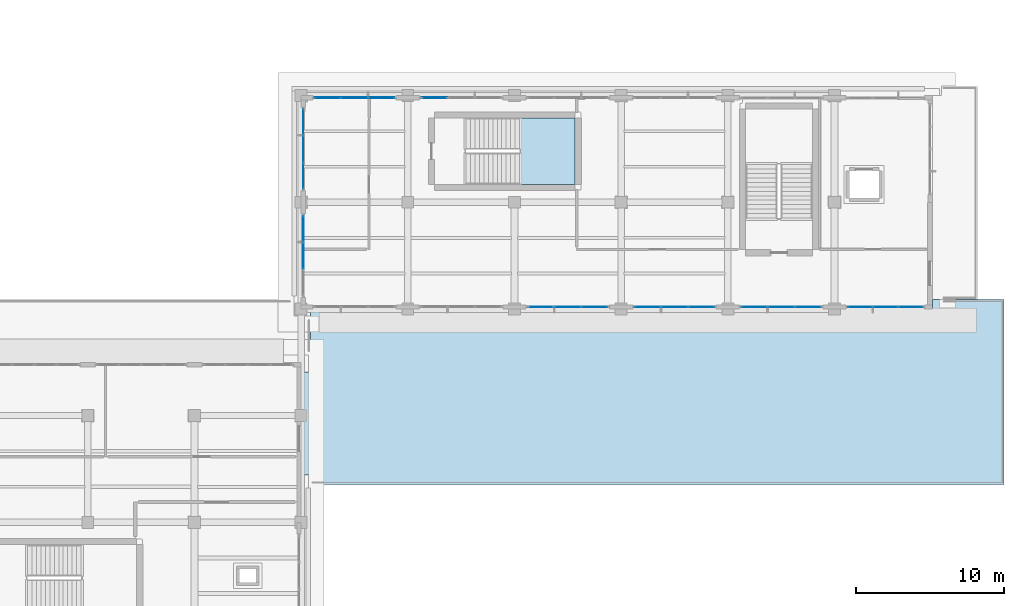
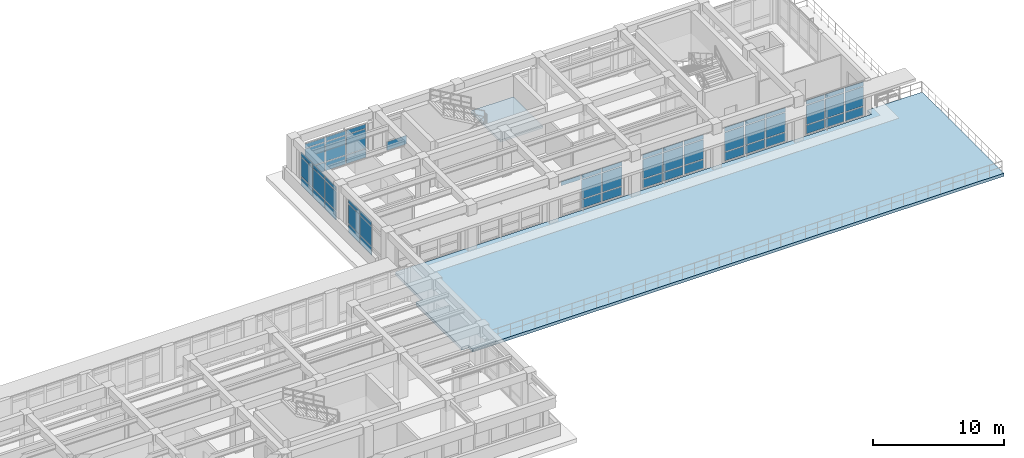
# One storey, part 39 of 67: 59 plates, 2 slabs, 9 elements without a shape of their own.
"""IFC4 building model written with IfcOpenShell, lengths in metres."""

from ifc_helpers import new_model, si_unit, direction, frame, origin, origin_2d, place, context, subcontext, project, spatial, polyline, rectangle, outline, extrude, material, layer, layer_set, type_object, element, aggregate, save


model = new_model("IFC4")

# Units and contexts
model_context = context("Model", 3, precision=1e-05, world=origin(), true_north=direction((0.0, 1.0)))
body_context = subcontext(model_context, "Body", "Model", "MODEL_VIEW")
ifc_project = project(units=[si_unit("LENGTHUNIT", "METRE"), si_unit("AREAUNIT", "SQUARE_METRE"), si_unit("VOLUMEUNIT", "CUBIC_METRE"), si_unit("PLANEANGLEUNIT", "RADIAN"), si_unit("MASSUNIT", "GRAM", prefix="KILO")], contexts=[model_context])

# Site, building, storey
site_placement = place(None, origin())
site = spatial("IfcSite", under=ifc_project, at=site_placement, CompositionType="ELEMENT")
building_placement = place(site_placement, origin())
building = spatial("IfcBuilding", under=site, at=building_placement, Name="Solenvale Faculty of Natural Sciences", CompositionType="ELEMENT")
storey_placement = place(building_placement, frame((0.0, 0.0, 13.5)))
storey = spatial("IfcBuildingStorey", under=building, at=storey_placement, Name="L03", CompositionType="ELEMENT", Elevation=13.5)

# Curtain wall, plates
ifc_material_1 = material(Name="Anodised bronze aluminium", Category="aluminium")
ifc_layer_1 = layer(ifc_material_1, 0.199951171875)
ifc_layer_set_1 = layer_set([ifc_layer_1], Name="Anodised bronze aluminium")
curtain_wall_type = type_object("IfcCurtainWallType", Name="CW-COM-FIN", PredefinedType="USERDEFINED", material=ifc_layer_set_1)
curtain_wall_1_placement = place(storey_placement, origin())
curtain_wall_1 = element("IfcCurtainWall", 1, at=curtain_wall_1_placement, inside=storey, type_object=curtain_wall_type, Name="L03 Curtain Wall CW-L03-P2-E1-B3", ObjectType="UNITISED CURTAIN WALL", PredefinedType="USERDEFINED")
ifc_material_2 = material(Name="North-light skylight glass", Category="glass")
ifc_layer_2 = layer(ifc_material_2, 0.028076171875)
ifc_layer_set_2 = layer_set([ifc_layer_2], Name="North-light skylight glass")
plate_type_1 = type_object("IfcPlateType", Name="CWP-PNL-28", PredefinedType="CURTAIN_PANEL", material=ifc_layer_set_2)
plate_1_placement = place(storey_placement, frame((131.385498046875, 43.342529296875, 2.79736328125), z_axis=(0.0, 0.0, 1.0), x_axis=(1.0, 0.0, 0.0)))
plate_1 = element("IfcPlate", 2, at=plate_1_placement, type_object=plate_type_1, Name="CW-03 panel 1.3", PredefinedType="CURTAIN_PANEL", context=body_context, shape_type="SweptSolid", body=[
    extrude(rectangle(XDim=1.720947265625, YDim=0.028076171875, at=origin_2d()), origin(), (0.0, 0.0, 1.0), 0.387451171875),
])
plate_2_placement = place(storey_placement, frame((133.199951171875, 43.342529296875, 0.074951171875), z_axis=(0.0, 0.0, 1.0), x_axis=(1.0, 0.0, 0.0)))
plate_2 = element("IfcPlate", 3, at=plate_2_placement, type_object=plate_type_1, Name="CW-03 panel 2.1", PredefinedType="CURTAIN_PANEL", context=body_context, shape_type="SweptSolid", body=[
    extrude(rectangle(XDim=1.75830078125, YDim=0.028076171875, at=origin_2d()), origin(), (0.0, 0.0, 1.0), 0.78759765625),
])
plate_3_placement = place(storey_placement, frame((133.199951171875, 43.342529296875, 0.9375), z_axis=(0.0, 0.0, 1.0), x_axis=(1.0, 0.0, 0.0)))
plate_3 = element("IfcPlate", 4, at=plate_3_placement, type_object=plate_type_1, Name="CW-03 panel 2.2", PredefinedType="CURTAIN_PANEL", context=body_context, shape_type="SweptSolid", body=[
    extrude(rectangle(XDim=1.75830078125, YDim=0.028076171875, at=origin_2d()), origin(), (0.0, 0.0, 1.0), 1.784912109375),
])
plate_4_placement = place(storey_placement, frame((133.199951171875, 43.342529296875, 2.79736328125), z_axis=(0.0, 0.0, 1.0), x_axis=(1.0, 0.0, 0.0)))
plate_4 = element("IfcPlate", 5, at=plate_4_placement, type_object=plate_type_1, Name="CW-03 panel 2.3", PredefinedType="CURTAIN_PANEL", context=body_context, shape_type="SweptSolid", body=[
    extrude(rectangle(XDim=1.75830078125, YDim=0.028076171875, at=origin_2d()), origin(), (0.0, 0.0, 1.0), 0.387451171875),
])
plate_5_placement = place(storey_placement, frame((135.0146484375, 43.342529296875, 0.074951171875), z_axis=(0.0, 0.0, 1.0), x_axis=(1.0, 0.0, 0.0)))
plate_5 = element("IfcPlate", 6, at=plate_5_placement, type_object=plate_type_1, Name="CW-03 panel 3.1", PredefinedType="CURTAIN_PANEL", context=body_context, shape_type="SweptSolid", body=[
    extrude(rectangle(XDim=1.720947265625, YDim=0.028076171875, at=origin_2d()), origin(), (0.0, 0.0, 1.0), 0.78759765625),
])
plate_6_placement = place(storey_placement, frame((135.0146484375, 43.342529296875, 0.9375), z_axis=(0.0, 0.0, 1.0), x_axis=(1.0, 0.0, 0.0)))
plate_6 = element("IfcPlate", 7, at=plate_6_placement, type_object=plate_type_1, Name="CW-03 panel 3.2", PredefinedType="CURTAIN_PANEL", context=body_context, shape_type="SweptSolid", body=[
    extrude(rectangle(XDim=1.720947265625, YDim=0.028076171875, at=origin_2d()), origin(), (0.0, 0.0, 1.0), 1.784912109375),
])
plate_7_placement = place(storey_placement, frame((135.0146484375, 43.342529296875, 2.79736328125), z_axis=(0.0, 0.0, 1.0), x_axis=(1.0, 0.0, 0.0)))
plate_7 = element("IfcPlate", 8, at=plate_7_placement, type_object=plate_type_1, Name="CW-03 panel 3.3", PredefinedType="CURTAIN_PANEL", context=body_context, shape_type="SweptSolid", body=[
    extrude(rectangle(XDim=1.720947265625, YDim=0.028076171875, at=origin_2d()), origin(), (0.0, 0.0, 1.0), 0.387451171875),
])
aggregate(curtain_wall_1, [plate_1, plate_2, plate_3, plate_4, plate_5, plate_6, plate_7])

curtain_wall_2_placement = place(storey_placement, origin())
curtain_wall_2 = element("IfcCurtainWall", 9, at=curtain_wall_2_placement, inside=storey, type_object=curtain_wall_type, Name="L03 Curtain Wall CW-L03-P2-E1-B4", ObjectType="UNITISED CURTAIN WALL", PredefinedType="USERDEFINED")
ifc_material_3 = material(Name="Triple low-E insulated glass", Category="glass")
ifc_layer_3 = layer(ifc_material_3, 0.031982421875)
ifc_layer_set_3 = layer_set([ifc_layer_3], Name="Triple low-E insulated glass")
plate_type_2 = type_object("IfcPlateType", Name="CWP-PNL-32", PredefinedType="CURTAIN_PANEL", material=ifc_layer_set_3)
plate_8_placement = place(storey_placement, frame((138.58544921875, 43.342529296875, 0.074951171875), z_axis=(0.0, 0.0, 1.0), x_axis=(1.0, 0.0, 0.0)))
plate_8 = element("IfcPlate", 10, at=plate_8_placement, type_object=plate_type_2, Name="CW-03 panel 1.1", PredefinedType="CURTAIN_PANEL", context=body_context, shape_type="SweptSolid", body=[
    extrude(rectangle(XDim=1.720947265625, YDim=0.031982421875, at=origin_2d()), origin(), (0.0, 0.0, 1.0), 0.78759765625),
])
plate_9_placement = place(storey_placement, frame((138.58544921875, 43.342529296875, 0.9375), z_axis=(0.0, 0.0, 1.0), x_axis=(1.0, 0.0, 0.0)))
plate_9 = element("IfcPlate", 11, at=plate_9_placement, type_object=plate_type_2, Name="CW-03 panel 1.2", PredefinedType="CURTAIN_PANEL", context=body_context, shape_type="SweptSolid", body=[
    extrude(rectangle(XDim=1.720947265625, YDim=0.031982421875, at=origin_2d()), origin(), (0.0, 0.0, 1.0), 1.784912109375),
])
plate_10_placement = place(storey_placement, frame((138.58544921875, 43.342529296875, 2.79736328125), z_axis=(0.0, 0.0, 1.0), x_axis=(1.0, 0.0, 0.0)))
plate_10 = element("IfcPlate", 12, at=plate_10_placement, type_object=plate_type_2, Name="CW-03 panel 1.3", PredefinedType="CURTAIN_PANEL", context=body_context, shape_type="SweptSolid", body=[
    extrude(rectangle(XDim=1.720947265625, YDim=0.031982421875, at=origin_2d()), origin(), (0.0, 0.0, 1.0), 0.387451171875),
])
plate_11_placement = place(storey_placement, frame((140.39990234375, 43.342529296875, 0.074951171875), z_axis=(0.0, 0.0, 1.0), x_axis=(1.0, 0.0, 0.0)))
plate_11 = element("IfcPlate", 13, at=plate_11_placement, type_object=plate_type_2, Name="CW-03 panel 2.1", PredefinedType="CURTAIN_PANEL", context=body_context, shape_type="SweptSolid", body=[
    extrude(rectangle(XDim=1.75830078125, YDim=0.031982421875, at=origin_2d()), origin(), (0.0, 0.0, 1.0), 0.78759765625),
])
plate_12_placement = place(storey_placement, frame((140.39990234375, 43.342529296875, 0.9375), z_axis=(0.0, 0.0, 1.0), x_axis=(1.0, 0.0, 0.0)))
plate_12 = element("IfcPlate", 14, at=plate_12_placement, type_object=plate_type_2, Name="CW-03 panel 2.2", PredefinedType="CURTAIN_PANEL", context=body_context, shape_type="SweptSolid", body=[
    extrude(rectangle(XDim=1.75830078125, YDim=0.031982421875, at=origin_2d()), origin(), (0.0, 0.0, 1.0), 1.784912109375),
])
plate_13_placement = place(storey_placement, frame((140.39990234375, 43.342529296875, 2.79736328125), z_axis=(0.0, 0.0, 1.0), x_axis=(1.0, 0.0, 0.0)))
plate_13 = element("IfcPlate", 15, at=plate_13_placement, type_object=plate_type_2, Name="CW-03 panel 2.3", PredefinedType="CURTAIN_PANEL", context=body_context, shape_type="SweptSolid", body=[
    extrude(rectangle(XDim=1.75830078125, YDim=0.031982421875, at=origin_2d()), origin(), (0.0, 0.0, 1.0), 0.387451171875),
])
plate_14_placement = place(storey_placement, frame((142.214599609375, 43.342529296875, 0.074951171875), z_axis=(0.0, 0.0, 1.0), x_axis=(1.0, 0.0, 0.0)))
plate_14 = element("IfcPlate", 16, at=plate_14_placement, type_object=plate_type_2, Name="CW-03 panel 3.1", PredefinedType="CURTAIN_PANEL", context=body_context, shape_type="SweptSolid", body=[
    extrude(rectangle(XDim=1.720947265625, YDim=0.031982421875, at=origin_2d()), origin(), (0.0, 0.0, 1.0), 0.78759765625),
])
plate_15_placement = place(storey_placement, frame((142.214599609375, 43.342529296875, 0.9375), z_axis=(0.0, 0.0, 1.0), x_axis=(1.0, 0.0, 0.0)))
plate_15 = element("IfcPlate", 17, at=plate_15_placement, type_object=plate_type_2, Name="CW-03 panel 3.2", PredefinedType="CURTAIN_PANEL", context=body_context, shape_type="SweptSolid", body=[
    extrude(rectangle(XDim=1.720947265625, YDim=0.031982421875, at=origin_2d()), origin(), (0.0, 0.0, 1.0), 1.784912109375),
])
plate_16_placement = place(storey_placement, frame((142.214599609375, 43.342529296875, 2.79736328125), z_axis=(0.0, 0.0, 1.0), x_axis=(1.0, 0.0, 0.0)))
plate_16 = element("IfcPlate", 18, at=plate_16_placement, type_object=plate_type_2, Name="CW-03 panel 3.3", PredefinedType="CURTAIN_PANEL", context=body_context, shape_type="SweptSolid", body=[
    extrude(rectangle(XDim=1.720947265625, YDim=0.031982421875, at=origin_2d()), origin(), (0.0, 0.0, 1.0), 0.387451171875),
])
aggregate(curtain_wall_2, [plate_8, plate_9, plate_10, plate_11, plate_12, plate_13, plate_14, plate_15, plate_16])

curtain_wall_3_placement = place(storey_placement, origin())
curtain_wall_3 = element("IfcCurtainWall", 19, at=curtain_wall_3_placement, inside=storey, type_object=curtain_wall_type, Name="L03 Curtain Wall CW-L03-P2-E4-B1", ObjectType="UNITISED CURTAIN WALL", PredefinedType="USERDEFINED")
plate_17_placement = place(storey_placement, frame((115.342529296875, 55.814697265625, 0.074951171875), z_axis=(0.0, 0.0, 1.0), x_axis=(0.0, -1.0, 0.0)))
plate_17 = element("IfcPlate", 20, at=plate_17_placement, type_object=plate_type_2, Name="CW-03 panel 1.1", PredefinedType="CURTAIN_PANEL", context=body_context, shape_type="SweptSolid", body=[
    extrude(rectangle(XDim=1.720947265625, YDim=0.031982421875, at=origin_2d()), origin(), (0.0, 0.0, 1.0), 0.78759765625),
])
plate_18_placement = place(storey_placement, frame((115.342529296875, 55.814697265625, 0.9375), z_axis=(0.0, 0.0, 1.0), x_axis=(0.0, -1.0, 0.0)))
plate_18 = element("IfcPlate", 21, at=plate_18_placement, type_object=plate_type_2, Name="CW-03 panel 1.2", PredefinedType="CURTAIN_PANEL", context=body_context, shape_type="SweptSolid", body=[
    extrude(rectangle(XDim=1.720947265625, YDim=0.031982421875, at=origin_2d()), origin(), (0.0, 0.0, 1.0), 1.784912109375),
])
plate_19_placement = place(storey_placement, frame((115.342529296875, 55.814697265625, 2.79736328125), z_axis=(0.0, 0.0, 1.0), x_axis=(0.0, -1.0, 0.0)))
plate_19 = element("IfcPlate", 22, at=plate_19_placement, type_object=plate_type_2, Name="CW-03 panel 1.3", PredefinedType="CURTAIN_PANEL", context=body_context, shape_type="SweptSolid", body=[
    extrude(rectangle(XDim=1.720947265625, YDim=0.031982421875, at=origin_2d()), origin(), (0.0, 0.0, 1.0), 0.387451171875),
])
plate_20_placement = place(storey_placement, frame((115.342529296875, 54.0, 0.074951171875), z_axis=(0.0, 0.0, 1.0), x_axis=(0.0, -1.0, 0.0)))
plate_20 = element("IfcPlate", 23, at=plate_20_placement, type_object=plate_type_2, Name="CW-03 panel 2.1", PredefinedType="CURTAIN_PANEL", context=body_context, shape_type="SweptSolid", body=[
    extrude(rectangle(XDim=1.75830078125, YDim=0.031982421875, at=origin_2d()), origin(), (0.0, 0.0, 1.0), 0.78759765625),
])
plate_21_placement = place(storey_placement, frame((115.342529296875, 54.0, 0.9375), z_axis=(0.0, 0.0, 1.0), x_axis=(0.0, -1.0, 0.0)))
plate_21 = element("IfcPlate", 24, at=plate_21_placement, type_object=plate_type_2, Name="CW-03 panel 2.2", PredefinedType="CURTAIN_PANEL", context=body_context, shape_type="SweptSolid", body=[
    extrude(rectangle(XDim=1.75830078125, YDim=0.031982421875, at=origin_2d()), origin(), (0.0, 0.0, 1.0), 1.784912109375),
])
plate_22_placement = place(storey_placement, frame((115.342529296875, 54.0, 2.79736328125), z_axis=(0.0, 0.0, 1.0), x_axis=(0.0, -1.0, 0.0)))
plate_22 = element("IfcPlate", 25, at=plate_22_placement, type_object=plate_type_2, Name="CW-03 panel 2.3", PredefinedType="CURTAIN_PANEL", context=body_context, shape_type="SweptSolid", body=[
    extrude(rectangle(XDim=1.75830078125, YDim=0.031982421875, at=origin_2d()), origin(), (0.0, 0.0, 1.0), 0.387451171875),
])
plate_23_placement = place(storey_placement, frame((115.342529296875, 52.185302734375, 0.074951171875), z_axis=(0.0, 0.0, 1.0), x_axis=(0.0, -1.0, 0.0)))
plate_23 = element("IfcPlate", 26, at=plate_23_placement, type_object=plate_type_2, Name="CW-03 panel 3.1", PredefinedType="CURTAIN_PANEL", context=body_context, shape_type="SweptSolid", body=[
    extrude(rectangle(XDim=1.720947265625, YDim=0.031982421875, at=origin_2d()), origin(), (0.0, 0.0, 1.0), 0.78759765625),
])
plate_24_placement = place(storey_placement, frame((115.342529296875, 52.185302734375, 0.9375), z_axis=(0.0, 0.0, 1.0), x_axis=(0.0, -1.0, 0.0)))
plate_24 = element("IfcPlate", 27, at=plate_24_placement, type_object=plate_type_2, Name="CW-03 panel 3.2", PredefinedType="CURTAIN_PANEL", context=body_context, shape_type="SweptSolid", body=[
    extrude(rectangle(XDim=1.720947265625, YDim=0.031982421875, at=origin_2d()), origin(), (0.0, 0.0, 1.0), 1.784912109375),
])
plate_25_placement = place(storey_placement, frame((115.342529296875, 52.185302734375, 2.79736328125), z_axis=(0.0, 0.0, 1.0), x_axis=(0.0, -1.0, 0.0)))
plate_25 = element("IfcPlate", 28, at=plate_25_placement, type_object=plate_type_2, Name="CW-03 panel 3.3", PredefinedType="CURTAIN_PANEL", context=body_context, shape_type="SweptSolid", body=[
    extrude(rectangle(XDim=1.720947265625, YDim=0.031982421875, at=origin_2d()), origin(), (0.0, 0.0, 1.0), 0.387451171875),
])
aggregate(curtain_wall_3, [plate_17, plate_18, plate_19, plate_20, plate_21, plate_22, plate_23, plate_24, plate_25])

curtain_wall_4_placement = place(storey_placement, origin())
curtain_wall_4 = element("IfcCurtainWall", 29, at=curtain_wall_4_placement, inside=storey, type_object=curtain_wall_type, Name="L03 Curtain Wall CW-L03-P2-E1-B5", ObjectType="UNITISED CURTAIN WALL", PredefinedType="USERDEFINED")
ifc_layer_4 = layer(ifc_material_3, 0.035888671875)
ifc_layer_set_4 = layer_set([ifc_layer_4], Name="Triple low-E insulated glass")
plate_type_3 = type_object("IfcPlateType", Name="CWP-PNL-36", PredefinedType="CURTAIN_PANEL", material=ifc_layer_set_4)
plate_26_placement = place(storey_placement, frame((145.785400390625, 43.342529296875, 0.074951171875), z_axis=(0.0, 0.0, 1.0), x_axis=(1.0, 0.0, 0.0)))
plate_26 = element("IfcPlate", 30, at=plate_26_placement, type_object=plate_type_3, Name="CW-03 panel 1.1", PredefinedType="CURTAIN_PANEL", context=body_context, shape_type="SweptSolid", body=[
    extrude(rectangle(XDim=1.720947265625, YDim=0.035888671875, at=origin_2d()), origin(), (0.0, 0.0, 1.0), 0.78759765625),
])
plate_27_placement = place(storey_placement, frame((145.785400390625, 43.342529296875, 0.9375), z_axis=(0.0, 0.0, 1.0), x_axis=(1.0, 0.0, 0.0)))
plate_27 = element("IfcPlate", 31, at=plate_27_placement, type_object=plate_type_3, Name="CW-03 panel 1.2", PredefinedType="CURTAIN_PANEL", context=body_context, shape_type="SweptSolid", body=[
    extrude(rectangle(XDim=1.720947265625, YDim=0.035888671875, at=origin_2d()), origin(), (0.0, 0.0, 1.0), 1.784912109375),
])
plate_28_placement = place(storey_placement, frame((145.785400390625, 43.342529296875, 2.79736328125), z_axis=(0.0, 0.0, 1.0), x_axis=(1.0, 0.0, 0.0)))
plate_28 = element("IfcPlate", 32, at=plate_28_placement, type_object=plate_type_3, Name="CW-03 panel 1.3", PredefinedType="CURTAIN_PANEL", context=body_context, shape_type="SweptSolid", body=[
    extrude(rectangle(XDim=1.720947265625, YDim=0.035888671875, at=origin_2d()), origin(), (0.0, 0.0, 1.0), 0.387451171875),
])
plate_29_placement = place(storey_placement, frame((147.60009765625, 43.342529296875, 0.074951171875), z_axis=(0.0, 0.0, 1.0), x_axis=(1.0, 0.0, 0.0)))
plate_29 = element("IfcPlate", 33, at=plate_29_placement, type_object=plate_type_3, Name="CW-03 panel 2.1", PredefinedType="CURTAIN_PANEL", context=body_context, shape_type="SweptSolid", body=[
    extrude(rectangle(XDim=1.75830078125, YDim=0.035888671875, at=origin_2d()), origin(), (0.0, 0.0, 1.0), 0.78759765625),
])
plate_30_placement = place(storey_placement, frame((147.60009765625, 43.342529296875, 0.9375), z_axis=(0.0, 0.0, 1.0), x_axis=(1.0, 0.0, 0.0)))
plate_30 = element("IfcPlate", 34, at=plate_30_placement, type_object=plate_type_3, Name="CW-03 panel 2.2", PredefinedType="CURTAIN_PANEL", context=body_context, shape_type="SweptSolid", body=[
    extrude(rectangle(XDim=1.75830078125, YDim=0.035888671875, at=origin_2d()), origin(), (0.0, 0.0, 1.0), 1.784912109375),
])
plate_31_placement = place(storey_placement, frame((147.60009765625, 43.342529296875, 2.79736328125), z_axis=(0.0, 0.0, 1.0), x_axis=(1.0, 0.0, 0.0)))
plate_31 = element("IfcPlate", 35, at=plate_31_placement, type_object=plate_type_3, Name="CW-03 panel 2.3", PredefinedType="CURTAIN_PANEL", context=body_context, shape_type="SweptSolid", body=[
    extrude(rectangle(XDim=1.75830078125, YDim=0.035888671875, at=origin_2d()), origin(), (0.0, 0.0, 1.0), 0.387451171875),
])
plate_32_placement = place(storey_placement, frame((149.41455078125, 43.342529296875, 0.074951171875), z_axis=(0.0, 0.0, 1.0), x_axis=(1.0, 0.0, 0.0)))
plate_32 = element("IfcPlate", 36, at=plate_32_placement, type_object=plate_type_3, Name="CW-03 panel 3.1", PredefinedType="CURTAIN_PANEL", context=body_context, shape_type="SweptSolid", body=[
    extrude(rectangle(XDim=1.720947265625, YDim=0.035888671875, at=origin_2d()), origin(), (0.0, 0.0, 1.0), 0.78759765625),
])
plate_33_placement = place(storey_placement, frame((149.41455078125, 43.342529296875, 0.9375), z_axis=(0.0, 0.0, 1.0), x_axis=(1.0, 0.0, 0.0)))
plate_33 = element("IfcPlate", 37, at=plate_33_placement, type_object=plate_type_3, Name="CW-03 panel 3.2", PredefinedType="CURTAIN_PANEL", context=body_context, shape_type="SweptSolid", body=[
    extrude(rectangle(XDim=1.720947265625, YDim=0.035888671875, at=origin_2d()), origin(), (0.0, 0.0, 1.0), 1.784912109375),
])
plate_34_placement = place(storey_placement, frame((149.41455078125, 43.342529296875, 2.79736328125), z_axis=(0.0, 0.0, 1.0), x_axis=(1.0, 0.0, 0.0)))
plate_34 = element("IfcPlate", 38, at=plate_34_placement, type_object=plate_type_3, Name="CW-03 panel 3.3", PredefinedType="CURTAIN_PANEL", context=body_context, shape_type="SweptSolid", body=[
    extrude(rectangle(XDim=1.720947265625, YDim=0.035888671875, at=origin_2d()), origin(), (0.0, 0.0, 1.0), 0.387451171875),
])
aggregate(curtain_wall_4, [plate_26, plate_27, plate_28, plate_29, plate_30, plate_31, plate_32, plate_33, plate_34])

curtain_wall_5_placement = place(storey_placement, origin())
curtain_wall_5 = element("IfcCurtainWall", 39, at=curtain_wall_5_placement, inside=storey, type_object=curtain_wall_type, Name="L03 Curtain Wall CW-L03-P2-E4-B2", ObjectType="UNITISED CURTAIN WALL", PredefinedType="USERDEFINED")
plate_35_placement = place(storey_placement, frame((115.342529296875, 48.614501953125, 0.074951171875), z_axis=(0.0, 0.0, 1.0), x_axis=(0.0, -1.0, 0.0)))
plate_35 = element("IfcPlate", 40, at=plate_35_placement, type_object=plate_type_3, Name="CW-03 panel 1.1", PredefinedType="CURTAIN_PANEL", context=body_context, shape_type="SweptSolid", body=[
    extrude(rectangle(XDim=1.720947265625, YDim=0.035888671875, at=origin_2d()), origin(), (0.0, 0.0, 1.0), 0.78759765625),
])
plate_36_placement = place(storey_placement, frame((115.342529296875, 48.614501953125, 0.9375), z_axis=(0.0, 0.0, 1.0), x_axis=(0.0, -1.0, 0.0)))
plate_36 = element("IfcPlate", 41, at=plate_36_placement, type_object=plate_type_3, Name="CW-03 panel 1.2", PredefinedType="CURTAIN_PANEL", context=body_context, shape_type="SweptSolid", body=[
    extrude(rectangle(XDim=1.720947265625, YDim=0.035888671875, at=origin_2d()), origin(), (0.0, 0.0, 1.0), 1.784912109375),
])
plate_37_placement = place(storey_placement, frame((115.342529296875, 48.614501953125, 2.79736328125), z_axis=(0.0, 0.0, 1.0), x_axis=(0.0, -1.0, 0.0)))
plate_37 = element("IfcPlate", 42, at=plate_37_placement, type_object=plate_type_3, Name="CW-03 panel 1.3", PredefinedType="CURTAIN_PANEL", context=body_context, shape_type="SweptSolid", body=[
    extrude(rectangle(XDim=1.720947265625, YDim=0.035888671875, at=origin_2d()), origin(), (0.0, 0.0, 1.0), 0.387451171875),
])
plate_38_placement = place(storey_placement, frame((115.342529296875, 46.800048828125, 0.074951171875), z_axis=(0.0, 0.0, 1.0), x_axis=(0.0, -1.0, 0.0)))
plate_38 = element("IfcPlate", 43, at=plate_38_placement, type_object=plate_type_3, Name="CW-03 panel 2.1", PredefinedType="CURTAIN_PANEL", context=body_context, shape_type="SweptSolid", body=[
    extrude(rectangle(XDim=1.75830078125, YDim=0.035888671875, at=origin_2d()), origin(), (0.0, 0.0, 1.0), 0.78759765625),
])
plate_39_placement = place(storey_placement, frame((115.342529296875, 46.800048828125, 0.9375), z_axis=(0.0, 0.0, 1.0), x_axis=(0.0, -1.0, 0.0)))
plate_39 = element("IfcPlate", 44, at=plate_39_placement, type_object=plate_type_3, Name="CW-03 panel 2.2", PredefinedType="CURTAIN_PANEL", context=body_context, shape_type="SweptSolid", body=[
    extrude(rectangle(XDim=1.75830078125, YDim=0.035888671875, at=origin_2d()), origin(), (0.0, 0.0, 1.0), 1.784912109375),
])
plate_40_placement = place(storey_placement, frame((115.342529296875, 46.800048828125, 2.79736328125), z_axis=(0.0, 0.0, 1.0), x_axis=(0.0, -1.0, 0.0)))
plate_40 = element("IfcPlate", 45, at=plate_40_placement, type_object=plate_type_3, Name="CW-03 panel 2.3", PredefinedType="CURTAIN_PANEL", context=body_context, shape_type="SweptSolid", body=[
    extrude(rectangle(XDim=1.75830078125, YDim=0.035888671875, at=origin_2d()), origin(), (0.0, 0.0, 1.0), 0.387451171875),
])
aggregate(curtain_wall_5, [plate_35, plate_36, plate_37, plate_38, plate_39, plate_40])

curtain_wall_6_placement = place(storey_placement, origin())
curtain_wall_6 = element("IfcCurtainWall", 46, at=curtain_wall_6_placement, inside=storey, type_object=curtain_wall_type, Name="L03 Curtain Wall CW-L03-P2-E1-B6", ObjectType="UNITISED CURTAIN WALL", PredefinedType="USERDEFINED")
ifc_layer_5 = layer(ifc_material_3, 0.0400390625)
ifc_layer_set_5 = layer_set([ifc_layer_5], Name="Triple low-E insulated glass")
plate_type_4 = type_object("IfcPlateType", Name="CWP-PNL-40", PredefinedType="CURTAIN_PANEL", material=ifc_layer_set_5)
plate_41_placement = place(storey_placement, frame((152.930419921875, 43.342529296875, 0.074951171875), z_axis=(0.0, 0.0, 1.0), x_axis=(1.0, 0.0, 0.0)))
plate_41 = element("IfcPlate", 47, at=plate_41_placement, type_object=plate_type_4, Name="CW-03 panel 1.1", PredefinedType="CURTAIN_PANEL", context=body_context, shape_type="SweptSolid", body=[
    extrude(rectangle(XDim=1.61083984375, YDim=0.0400390625, at=origin_2d()), origin(), (0.0, 0.0, 1.0), 0.78759765625),
])
plate_42_placement = place(storey_placement, frame((152.930419921875, 43.342529296875, 0.9375), z_axis=(0.0, 0.0, 1.0), x_axis=(1.0, 0.0, 0.0)))
plate_42 = element("IfcPlate", 48, at=plate_42_placement, type_object=plate_type_4, Name="CW-03 panel 1.2", PredefinedType="CURTAIN_PANEL", context=body_context, shape_type="SweptSolid", body=[
    extrude(rectangle(XDim=1.61083984375, YDim=0.0400390625, at=origin_2d()), origin(), (0.0, 0.0, 1.0), 1.784912109375),
])
plate_43_placement = place(storey_placement, frame((152.930419921875, 43.342529296875, 2.79736328125), z_axis=(0.0, 0.0, 1.0), x_axis=(1.0, 0.0, 0.0)))
plate_43 = element("IfcPlate", 49, at=plate_43_placement, type_object=plate_type_4, Name="CW-03 panel 1.3", PredefinedType="CURTAIN_PANEL", context=body_context, shape_type="SweptSolid", body=[
    extrude(rectangle(XDim=1.61083984375, YDim=0.0400390625, at=origin_2d()), origin(), (0.0, 0.0, 1.0), 0.387451171875),
])
plate_44_placement = place(storey_placement, frame((154.635009765625, 43.342529296875, 0.074951171875), z_axis=(0.0, 0.0, 1.0), x_axis=(1.0, 0.0, 0.0)))
plate_44 = element("IfcPlate", 50, at=plate_44_placement, type_object=plate_type_4, Name="CW-03 panel 2.1", PredefinedType="CURTAIN_PANEL", context=body_context, shape_type="SweptSolid", body=[
    extrude(rectangle(XDim=1.6484375, YDim=0.0400390625, at=origin_2d()), origin(), (0.0, 0.0, 1.0), 0.78759765625),
])
plate_45_placement = place(storey_placement, frame((154.635009765625, 43.342529296875, 0.9375), z_axis=(0.0, 0.0, 1.0), x_axis=(1.0, 0.0, 0.0)))
plate_45 = element("IfcPlate", 51, at=plate_45_placement, type_object=plate_type_4, Name="CW-03 panel 2.2", PredefinedType="CURTAIN_PANEL", context=body_context, shape_type="SweptSolid", body=[
    extrude(rectangle(XDim=1.6484375, YDim=0.0400390625, at=origin_2d()), origin(), (0.0, 0.0, 1.0), 1.784912109375),
])
plate_46_placement = place(storey_placement, frame((154.635009765625, 43.342529296875, 2.79736328125), z_axis=(0.0, 0.0, 1.0), x_axis=(1.0, 0.0, 0.0)))
plate_46 = element("IfcPlate", 52, at=plate_46_placement, type_object=plate_type_4, Name="CW-03 panel 2.3", PredefinedType="CURTAIN_PANEL", context=body_context, shape_type="SweptSolid", body=[
    extrude(rectangle(XDim=1.6484375, YDim=0.0400390625, at=origin_2d()), origin(), (0.0, 0.0, 1.0), 0.387451171875),
])
plate_47_placement = place(storey_placement, frame((156.339599609375, 43.342529296875, 0.074951171875), z_axis=(0.0, 0.0, 1.0), x_axis=(1.0, 0.0, 0.0)))
plate_47 = element("IfcPlate", 53, at=plate_47_placement, type_object=plate_type_4, Name="CW-03 panel 3.1", PredefinedType="CURTAIN_PANEL", context=body_context, shape_type="SweptSolid", body=[
    extrude(rectangle(XDim=1.61083984375, YDim=0.0400390625, at=origin_2d()), origin(), (0.0, 0.0, 1.0), 0.78759765625),
])
plate_48_placement = place(storey_placement, frame((156.339599609375, 43.342529296875, 0.9375), z_axis=(0.0, 0.0, 1.0), x_axis=(1.0, 0.0, 0.0)))
plate_48 = element("IfcPlate", 54, at=plate_48_placement, type_object=plate_type_4, Name="CW-03 panel 3.2", PredefinedType="CURTAIN_PANEL", context=body_context, shape_type="SweptSolid", body=[
    extrude(rectangle(XDim=1.61083984375, YDim=0.0400390625, at=origin_2d()), origin(), (0.0, 0.0, 1.0), 1.784912109375),
])
plate_49_placement = place(storey_placement, frame((156.339599609375, 43.342529296875, 2.79736328125), z_axis=(0.0, 0.0, 1.0), x_axis=(1.0, 0.0, 0.0)))
plate_49 = element("IfcPlate", 55, at=plate_49_placement, type_object=plate_type_4, Name="CW-03 panel 3.3", PredefinedType="CURTAIN_PANEL", context=body_context, shape_type="SweptSolid", body=[
    extrude(rectangle(XDim=1.61083984375, YDim=0.0400390625, at=origin_2d()), origin(), (0.0, 0.0, 1.0), 0.387451171875),
])
aggregate(curtain_wall_6, [plate_41, plate_42, plate_43, plate_44, plate_45, plate_46, plate_47, plate_48, plate_49])

# Curtain wall, plate
curtain_wall_7_placement = place(storey_placement, origin())
curtain_wall_7 = element("IfcCurtainWall", 56, at=curtain_wall_7_placement, inside=storey, type_object=curtain_wall_type, Name="L03 Curtain Wall CW-L03-P2-E3-B5", ObjectType="UNITISED CURTAIN WALL", PredefinedType="USERDEFINED")
ifc_layer_6 = layer(ifc_material_3, 0.0439453125)
ifc_layer_set_6 = layer_set([ifc_layer_6], Name="Triple low-E insulated glass")
plate_type_5 = type_object("IfcPlateType", Name="CWP-PNL-44", PredefinedType="CURTAIN_PANEL", material=ifc_layer_set_6)
plate_50_placement = place(storey_placement, frame((124.185302734375, 57.45751953125, 0.074951171875), z_axis=(0.0, 0.0, 1.0), x_axis=(-1.0, 0.0, 0.0)))
plate_50 = element("IfcPlate", 57, at=plate_50_placement, type_object=plate_type_5, Name="CW-03 panel 3.1", PredefinedType="CURTAIN_PANEL", context=body_context, shape_type="SweptSolid", body=[
    extrude(rectangle(XDim=1.720947265625, YDim=0.0439453125, at=origin_2d()), origin(), (0.0, 0.0, 1.0), 0.78759765625),
])
aggregate(curtain_wall_7, [plate_50])

# Curtain wall, plates
curtain_wall_8_placement = place(storey_placement, origin())
curtain_wall_8 = element("IfcCurtainWall", 58, at=curtain_wall_8_placement, inside=storey, type_object=curtain_wall_type, Name="L03 Curtain Wall CW-L03-P2-E3-B6", ObjectType="UNITISED CURTAIN WALL", PredefinedType="USERDEFINED")
ifc_layer_7 = layer(ifc_material_1, 0.048095703125)
ifc_layer_set_7 = layer_set([ifc_layer_7], Name="Anodised bronze aluminium")
plate_type_6 = type_object("IfcPlateType", Name="CWP-PNL-48", PredefinedType="CURTAIN_PANEL", material=ifc_layer_set_7)
plate_51_placement = place(storey_placement, frame((120.614501953125, 57.45751953125, 0.074951171875), z_axis=(0.0, 0.0, 1.0), x_axis=(-1.0, 0.0, 0.0)))
plate_51 = element("IfcPlate", 59, at=plate_51_placement, type_object=plate_type_6, Name="CW-03 panel 1.1", PredefinedType="CURTAIN_PANEL", context=body_context, shape_type="SweptSolid", body=[
    extrude(rectangle(XDim=1.720947265625, YDim=0.048095703125, at=origin_2d()), origin(), (0.0, 0.0, 1.0), 0.78759765625),
])
plate_52_placement = place(storey_placement, frame((120.614501953125, 57.45751953125, 0.9375), z_axis=(0.0, 0.0, 1.0), x_axis=(-1.0, 0.0, 0.0)))
plate_52 = element("IfcPlate", 60, at=plate_52_placement, type_object=plate_type_6, Name="CW-03 panel 1.2", PredefinedType="CURTAIN_PANEL", context=body_context, shape_type="SweptSolid", body=[
    extrude(rectangle(XDim=1.720947265625, YDim=0.048095703125, at=origin_2d()), origin(), (0.0, 0.0, 1.0), 1.784912109375),
])
plate_53_placement = place(storey_placement, frame((120.614501953125, 57.45751953125, 2.79736328125), z_axis=(0.0, 0.0, 1.0), x_axis=(-1.0, 0.0, 0.0)))
plate_53 = element("IfcPlate", 61, at=plate_53_placement, type_object=plate_type_6, Name="CW-03 panel 1.3", PredefinedType="CURTAIN_PANEL", context=body_context, shape_type="SweptSolid", body=[
    extrude(rectangle(XDim=1.720947265625, YDim=0.048095703125, at=origin_2d()), origin(), (0.0, 0.0, 1.0), 0.387451171875),
])
plate_54_placement = place(storey_placement, frame((118.800048828125, 57.45751953125, 0.074951171875), z_axis=(0.0, 0.0, 1.0), x_axis=(-1.0, 0.0, 0.0)))
plate_54 = element("IfcPlate", 62, at=plate_54_placement, type_object=plate_type_6, Name="CW-03 panel 2.1", PredefinedType="CURTAIN_PANEL", context=body_context, shape_type="SweptSolid", body=[
    extrude(rectangle(XDim=1.75830078125, YDim=0.048095703125, at=origin_2d()), origin(), (0.0, 0.0, 1.0), 0.78759765625),
])
plate_55_placement = place(storey_placement, frame((118.800048828125, 57.45751953125, 0.9375), z_axis=(0.0, 0.0, 1.0), x_axis=(-1.0, 0.0, 0.0)))
plate_55 = element("IfcPlate", 63, at=plate_55_placement, type_object=plate_type_6, Name="CW-03 panel 2.2", PredefinedType="CURTAIN_PANEL", context=body_context, shape_type="SweptSolid", body=[
    extrude(rectangle(XDim=1.75830078125, YDim=0.048095703125, at=origin_2d()), origin(), (0.0, 0.0, 1.0), 1.784912109375),
])
plate_56_placement = place(storey_placement, frame((118.800048828125, 57.45751953125, 2.79736328125), z_axis=(0.0, 0.0, 1.0), x_axis=(-1.0, 0.0, 0.0)))
plate_56 = element("IfcPlate", 64, at=plate_56_placement, type_object=plate_type_6, Name="CW-03 panel 2.3", PredefinedType="CURTAIN_PANEL", context=body_context, shape_type="SweptSolid", body=[
    extrude(rectangle(XDim=1.75830078125, YDim=0.048095703125, at=origin_2d()), origin(), (0.0, 0.0, 1.0), 0.387451171875),
])
plate_57_placement = place(storey_placement, frame((116.9853515625, 57.45751953125, 0.074951171875), z_axis=(0.0, 0.0, 1.0), x_axis=(-1.0, 0.0, 0.0)))
plate_57 = element("IfcPlate", 65, at=plate_57_placement, type_object=plate_type_6, Name="CW-03 panel 3.1", PredefinedType="CURTAIN_PANEL", context=body_context, shape_type="SweptSolid", body=[
    extrude(rectangle(XDim=1.720947265625, YDim=0.048095703125, at=origin_2d()), origin(), (0.0, 0.0, 1.0), 0.78759765625),
])
plate_58_placement = place(storey_placement, frame((116.9853515625, 57.45751953125, 0.9375), z_axis=(0.0, 0.0, 1.0), x_axis=(-1.0, 0.0, 0.0)))
plate_58 = element("IfcPlate", 66, at=plate_58_placement, type_object=plate_type_6, Name="CW-03 panel 3.2", PredefinedType="CURTAIN_PANEL", context=body_context, shape_type="SweptSolid", body=[
    extrude(rectangle(XDim=1.720947265625, YDim=0.048095703125, at=origin_2d()), origin(), (0.0, 0.0, 1.0), 1.784912109375),
])
plate_59_placement = place(storey_placement, frame((116.9853515625, 57.45751953125, 2.79736328125), z_axis=(0.0, 0.0, 1.0), x_axis=(-1.0, 0.0, 0.0)))
plate_59 = element("IfcPlate", 67, at=plate_59_placement, type_object=plate_type_6, Name="CW-03 panel 3.3", PredefinedType="CURTAIN_PANEL", context=body_context, shape_type="SweptSolid", body=[
    extrude(rectangle(XDim=1.720947265625, YDim=0.048095703125, at=origin_2d()), origin(), (0.0, 0.0, 1.0), 0.387451171875),
])
aggregate(curtain_wall_8, [plate_51, plate_52, plate_53, plate_54, plate_55, plate_56, plate_57, plate_58, plate_59])

# Stair, slab
ifc_material_4 = material(Name="Concrete 40 MPa", Category="concrete")
stair_type = type_object("IfcStairType", Name="STR-CORE-25R", PredefinedType="DOUBLE_RETURN_STAIR", material=ifc_material_4)
stair_placement = place(storey_placement, origin())
stair = element("IfcStair", 68, at=stair_placement, inside=storey, type_object=stair_type, Name="L03 Protected Exit Stair ST-08", PredefinedType="DOUBLE_RETURN_STAIR")
ifc_layer_8 = layer(ifc_material_4, 0.195068359375)
ifc_layer_set_8 = layer_set([ifc_layer_8], Name="Concrete 40 MPa")
slab_type_1 = type_object("IfcSlabType", Name="SL-LND-195", PredefinedType="LANDING", material=ifc_layer_set_8)
slab_1_placement = place(storey_placement, frame((0.0, 0.0, 2.050048828125)))
slab_1 = element("IfcSlab", 69, at=slab_1_placement, type_object=slab_type_1, Name="ST-08 landing 1", PredefinedType="LANDING", context=body_context, shape_type="SweptSolid", body=[
    extrude(outline(polyline([(129.93994140625, 51.60009765625), (133.699951171875, 51.60009765625), (133.699951171875, 56.10009765625), (129.93994140625, 56.10009765625), (129.93994140625, 51.60009765625)])), origin(), (0.0, 0.0, 1.0), 0.199951171875),
])
aggregate(stair, [slab_1])

# Slab
ifc_material_5 = material(Name="Precast terrace paving concrete 35 MPa", Category="concrete")
ifc_layer_9 = layer(ifc_material_5, 0.280029296875)
ifc_layer_set_9 = layer_set([ifc_layer_9], Name="Precast terrace paving concrete 35 MPa")
slab_type_2 = type_object("IfcSlabType", Name="SL-TERR-280", PredefinedType="FLOOR", material=ifc_layer_set_9)
slab_2_placement = place(storey_placement, frame((0.0, 0.0, -0.280029296875)))
element("IfcSlab", 70, at=slab_2_placement, inside=storey, type_object=slab_type_2, Name="L03 Commons South Planted Roof Garden", PredefinedType="FLOOR", context=body_context, shape_type="SweptSolid", body=[
    extrude(outline(polyline([(115.2001953125, 31.998046875), (115.20458984375, 38.95263671875), (115.218017578125, 38.9599609375), (115.8193359375, 38.9599609375), (115.832763671875, 38.964599609375), (115.83984375, 38.97802734375), (115.839111328125, 43.179931640625), (115.84375, 43.192626953125), (115.857177734375, 43.199951171875), (157.799560546875, 43.199951171875), (157.800048828125, 43.820068359375), (157.805908203125, 43.833984375), (157.818115234375, 43.83984375), (162.623779296875, 43.839599609375), (162.639892578125, 43.820068359375), (162.6396484375, 31.376220703125), (162.6201171875, 31.360107421875), (115.836181640625, 31.3603515625), (115.820068359375, 31.3798828125), (115.820068359375, 31.97998046875), (115.219970703125, 31.97998046875), (115.207275390625, 31.984619140625), (115.2001953125, 31.998046875)])), origin(), (0.0, 0.0, 1.0), 0.280029296875),
])

save(model, "model.ifc")
